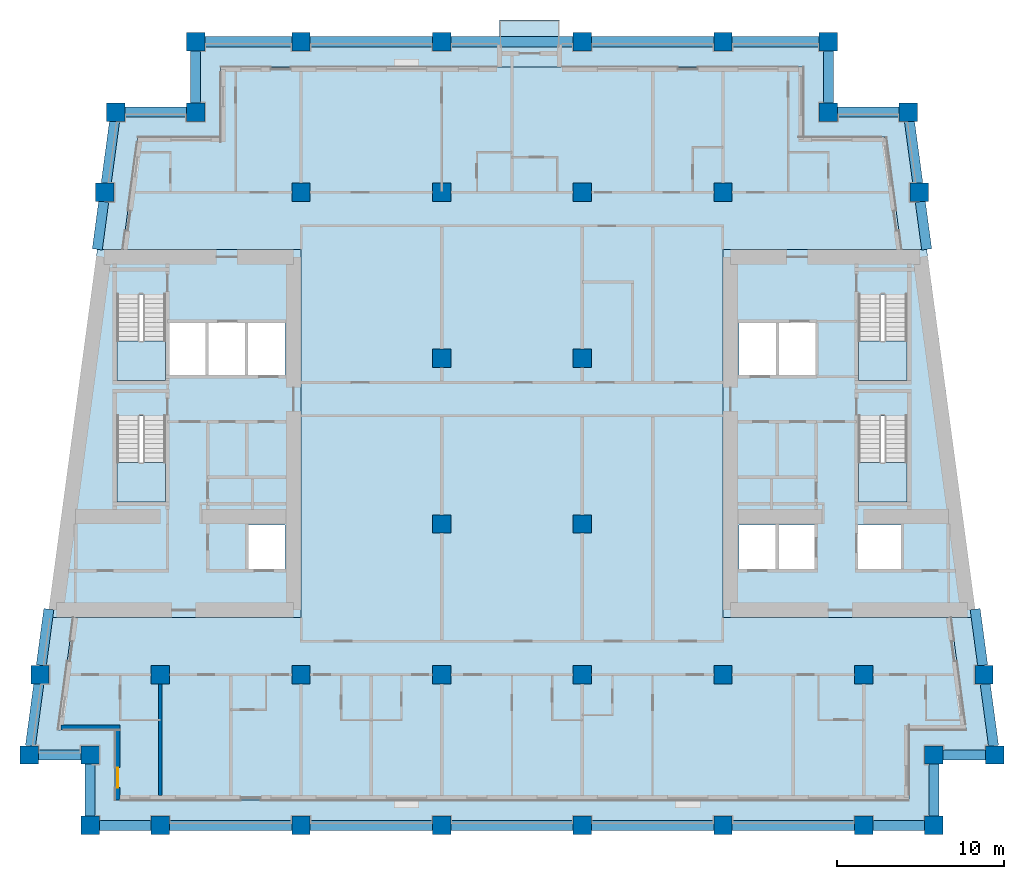
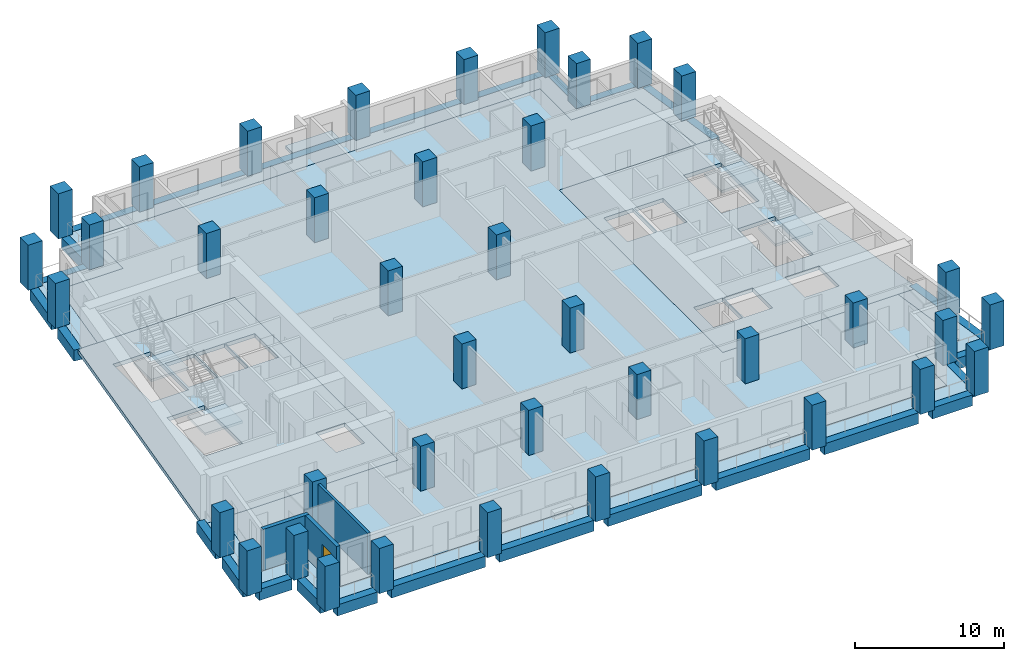
# One storey, part 1 of 13: 40 columns, 28 beams, 10 slabs, 3 walls, 1 door, 1 opening, 4 elements without a shape of their own.
"""IFC4 building model written with IfcOpenShell, lengths in metres."""

from ifc_helpers import new_model, si_unit, direction, frame, frame_2d, origin, origin_2d, place, context, subcontext, project, spatial, polyline, rectangle, outline, extrude, material, layer, layer_set, material_profile, profile_set, type_object, element, fill, aggregate, save


model = new_model("IFC4")

# Units and contexts
model_context = context("Model", 3, precision=1e-05, world=origin(), true_north=direction((0.0, 1.0)))
body_context = subcontext(model_context, "Body", "Model", "MODEL_VIEW")
ifc_project = project(units=[si_unit("LENGTHUNIT", "METRE"), si_unit("AREAUNIT", "SQUARE_METRE"), si_unit("VOLUMEUNIT", "CUBIC_METRE"), si_unit("PLANEANGLEUNIT", "RADIAN"), si_unit("MASSUNIT", "GRAM", prefix="KILO")], contexts=[model_context])

# Site, building, storey
site_placement = place(None, origin())
site = spatial("IfcSite", under=ifc_project, at=site_placement, CompositionType="ELEMENT")
building_placement = place(site_placement, origin())
building = spatial("IfcBuilding", under=site, at=building_placement, Name="Candeia Pilgrim Tower and Theatre", CompositionType="ELEMENT")
storey_placement = place(building_placement, frame((0.0, 0.0, 151.5)))
storey = spatial("IfcBuildingStorey", under=building, at=storey_placement, Name="L35", CompositionType="ELEMENT", Elevation=151.5)

# Columns
ifc_material_1 = material(Name="Concrete C60/75", Category="concrete")
ifc_material_profile_1 = material_profile(ifc_material_1, rectangle(XDim=1.10009765625, YDim=1.10009765625, at=origin_2d()))
ifc_profile_set_1 = profile_set([ifc_material_profile_1], Name="Concrete C60/75")
column_type = type_object("IfcColumnType", Name="RC 1100x1100 C60/75", PredefinedType="COLUMN", material=ifc_profile_set_1)
for number, where, z_axis, x_axis, name in (
    (1, (92.39990234375, 98.0, 0.0), (0.0, 0.0, 1.0), (1.0, 0.0, 0.0), "Column A1"),
    (2, (100.800048828125, 98.0, 0.0), (0.0, 0.0, 1.0), (1.0, 0.0, 0.0), "Column A2"),
    (3, (109.199951171875, 98.0, 0.0), (0.0, 0.0, 1.0), (1.0, 0.0, 0.0), "Column A3"),
    (4, (117.60009765625, 98.0, 0.0), (0.0, 0.0, 1.0), (1.0, 0.0, 0.0), "Column A4"),
    (5, (126.0, 98.0, 0.0), (0.0, 0.0, 1.0), (1.0, 0.0, 0.0), "Column A5"),
    (6, (134.39990234375, 98.0, 0.0), (0.0, 0.0, 1.0), (1.0, 0.0, 0.0), "Column A6"),
    (7, (88.199951171875, 98.0, 0.0), (0.0, 0.0, 1.0), (1.0, 0.0, 0.0), "Column AW"),
    (8, (138.60009765625, 98.0, 0.0), (0.0, 0.0, 1.0), (1.0, 0.0, 0.0), "Column AE"),
    (9, (88.199951171875, 102.199951171875, 0.0), (0.0, 0.0, 1.0), (1.0, 0.0, 0.0), "Column NSW"),
    (10, (138.60009765625, 102.199951171875, 0.0), (0.0, 0.0, 1.0), (1.0, 0.0, 0.0), "Column NSE"),
    (11, (94.5, 140.60009765625, 0.0), (0.0, 0.0, 1.0), (1.0, 0.0, 0.0), "Column NNW"),
    (12, (132.300048828125, 140.60009765625, 0.0), (0.0, 0.0, 1.0), (1.0, 0.0, 0.0), "Column NNE"),
    (13, (84.5654296875, 102.199951171875, 0.0), (0.0, 0.0, 1.0), (1.0, 0.0, 0.0), "Column LSW"),
    (14, (142.234619140625, 102.199951171875, 0.0), (0.0, 0.0, 1.0), (1.0, 0.0, 0.0), "Column LSE"),
    (15, (89.734619140625, 140.60009765625, 0.0), (0.0, 0.0, 1.0), (1.0, 0.0, 0.0), "Column LNW"),
    (16, (137.0654296875, 140.60009765625, 0.0), (0.0, 0.0, 1.0), (1.0, 0.0, 0.0), "Column LNE"),
    (17, (92.39990234375, 107.0, 0.0), (0.0, 0.0, 1.0), (1.0, 0.0, 0.0), "Column B1"),
    (18, (100.800048828125, 107.0, 0.0), (0.0, 0.0, 1.0), (1.0, 0.0, 0.0), "Column B2"),
    (19, (109.199951171875, 107.0, 0.0), (0.0, 0.0, 1.0), (1.0, 0.0, 0.0), "Column B3"),
    (20, (117.60009765625, 107.0, 0.0), (0.0, 0.0, 1.0), (1.0, 0.0, 0.0), "Column B4"),
    (21, (126.0, 107.0, 0.0), (0.0, 0.0, 1.0), (1.0, 0.0, 0.0), "Column B5"),
    (22, (134.39990234375, 107.0, 0.0), (0.0, 0.0, 1.0), (1.0, 0.0, 0.0), "Column B6"),
    (23, (85.21142578125, 107.0, 0.0), (0.0, 0.0, 1.0), (1.0, 0.0, 0.0), "Column BW"),
    (24, (141.58837890625, 107.0, 0.0), (0.0, 0.0, 1.0), (1.0, 0.0, 0.0), "Column BE"),
    (25, (109.199951171875, 116.0, 0.0), (0.0, 0.0, 1.0), (1.0, 0.0, 0.0), "Column C3"),
    (26, (117.60009765625, 116.0, 0.0), (0.0, 0.0, 1.0), (1.0, 0.0, 0.0), "Column C4"),
    (27, (109.199951171875, 125.89990234375, 0.0), (0.0, 0.0, 1.0), (1.0, 0.0, 0.0), "Column D3"),
    (28, (117.60009765625, 125.89990234375, 0.0), (0.0, 0.0, 1.0), (1.0, 0.0, 0.0), "Column D4"),
    (29, (100.800048828125, 135.800048828125, 0.0), (0.0, 0.0, 1.0), (1.0, 0.0, 0.0), "Column E2"),
    (30, (109.199951171875, 135.800048828125, 0.0), (0.0, 0.0, 1.0), (1.0, 0.0, 0.0), "Column E3"),
    (31, (117.60009765625, 135.800048828125, 0.0), (0.0, 0.0, 1.0), (1.0, 0.0, 0.0), "Column E4"),
    (32, (126.0, 135.800048828125, 0.0), (0.0, 0.0, 1.0), (1.0, 0.0, 0.0), "Column E5"),
    (33, (89.08837890625, 135.800048828125, 0.0), (0.0, 0.0, 1.0), (1.0, 0.0, 0.0), "Column EW"),
    (34, (137.71142578125, 135.800048828125, 0.0), (0.0, 0.0, 1.0), (1.0, 0.0, 0.0), "Column EE"),
    (35, (100.800048828125, 144.800048828125, 0.0), (0.0, 0.0, 1.0), (1.0, 0.0, 0.0), "Column F2"),
    (36, (109.199951171875, 144.800048828125, 0.0), (0.0, 0.0, 1.0), (1.0, 0.0, 0.0), "Column F3"),
    (37, (117.60009765625, 144.800048828125, 0.0), (0.0, 0.0, 1.0), (1.0, 0.0, 0.0), "Column F4"),
    (38, (126.0, 144.800048828125, 0.0), (0.0, 0.0, 1.0), (1.0, 0.0, 0.0), "Column F5"),
    (39, (94.5, 144.800048828125, 0.0), (0.0, 0.0, 1.0), (1.0, 0.0, 0.0), "Column FW"),
    (40, (132.300048828125, 144.800048828125, 0.0), (0.0, 0.0, 1.0), (1.0, 0.0, 0.0), "Column FE"),
):
    element("IfcColumn", number, at=place(storey_placement, frame(where, z_axis=z_axis, x_axis=x_axis)), inside=storey, type_object=column_type, Name=name, PredefinedType="COLUMN", context=body_context, shape_type="SweptSolid", body=[
        extrude(rectangle(XDim=1.10009765625, YDim=1.10009765625, at=origin_2d()), origin(), (0.0, 0.0, 1.0), 3.699951171875),
    ])

# Beams
ifc_material_profile_2 = material_profile(ifc_material_1, rectangle(XDim=0.60009765625, YDim=0.89990234375, at=origin_2d()))
ifc_profile_set_2 = profile_set([ifc_material_profile_2], Name="Concrete C60/75")
beam_type = type_object("IfcBeamType", Name="RC 600x900 C60/75", PredefinedType="BEAM", material=ifc_profile_set_2)
beam_1_placement = place(storey_placement, frame((88.75, 98.0, -0.449951171875), z_axis=(1.0, 0.0, 0.0), x_axis=(0.0, 1.0, 0.0)))
element("IfcBeam", 41, at=beam_1_placement, inside=storey, type_object=beam_type, Name="Spandrel beam L35-01", PredefinedType="BEAM", context=body_context, shape_type="SweptSolid", body=[
    extrude(rectangle(XDim=0.60009765625, YDim=0.89990234375, at=origin_2d()), origin(), (0.0, 0.0, 1.0), 3.10009765625),
])
beam_2_placement = place(storey_placement, frame((92.949951171875, 98.0, -0.449951171875), z_axis=(1.0, 0.0, 0.0), x_axis=(0.0, 1.0, 0.0)))
element("IfcBeam", 42, at=beam_2_placement, inside=storey, type_object=beam_type, Name="Spandrel beam L35-02", PredefinedType="BEAM", context=body_context, shape_type="SweptSolid", body=[
    extrude(rectangle(XDim=0.60009765625, YDim=0.89990234375, at=origin_2d()), origin(), (0.0, 0.0, 1.0), 7.300048828125),
])
beam_3_placement = place(storey_placement, frame((101.35009765625, 98.0, -0.449951171875), z_axis=(1.0, 0.0, 0.0), x_axis=(0.0, 1.0, 0.0)))
element("IfcBeam", 43, at=beam_3_placement, inside=storey, type_object=beam_type, Name="Spandrel beam L35-03", PredefinedType="BEAM", context=body_context, shape_type="SweptSolid", body=[
    extrude(rectangle(XDim=0.60009765625, YDim=0.89990234375, at=origin_2d()), origin(), (0.0, 0.0, 1.0), 7.2998046875),
])
for number, where, z_axis, x_axis, name in (
    (44, (109.75, 98.0, -0.449951171875), (1.0, 0.0, 0.0), (0.0, 1.0, 0.0), "Spandrel beam L35-04"),
    (45, (118.14990234375, 98.0, -0.449951171875), (1.0, 0.0, 0.0), (0.0, 1.0, 0.0), "Spandrel beam L35-05"),
    (46, (126.550048828125, 98.0, -0.449951171875), (1.0, 0.0, 0.0), (0.0, 1.0, 0.0), "Spandrel beam L35-06"),
):
    element("IfcBeam", number, at=place(storey_placement, frame(where, z_axis=z_axis, x_axis=x_axis)), inside=storey, type_object=beam_type, Name=name, PredefinedType="BEAM", context=body_context, shape_type="SweptSolid", body=[
        extrude(rectangle(XDim=0.60009765625, YDim=0.89990234375, at=origin_2d()), origin(), (0.0, 0.0, 1.0), 7.300048828125),
    ])
beam_4_placement = place(storey_placement, frame((134.949951171875, 98.0, -0.449951171875), z_axis=(1.0, 0.0, 0.0), x_axis=(0.0, 1.0, 0.0)))
element("IfcBeam", 47, at=beam_4_placement, inside=storey, type_object=beam_type, Name="Spandrel beam L35-07", PredefinedType="BEAM", context=body_context, shape_type="SweptSolid", body=[
    extrude(rectangle(XDim=0.60009765625, YDim=0.89990234375, at=origin_2d()), origin(), (0.0, 0.0, 1.0), 3.10009765625),
])
beam_5_placement = place(storey_placement, frame((138.60009765625, 98.550048828125, -0.449951171875), z_axis=(0.0, 1.0, 0.0), x_axis=(-1.0, 0.0, 0.0)))
element("IfcBeam", 48, at=beam_5_placement, inside=storey, type_object=beam_type, Name="Spandrel beam L35-08", PredefinedType="BEAM", context=body_context, shape_type="SweptSolid", body=[
    extrude(rectangle(XDim=0.60009765625, YDim=0.89990234375, at=origin_2d()), origin(), (0.0, 0.0, 1.0), 3.099853515625),
])
beam_6_placement = place(storey_placement, frame((139.14990234375, 102.199951171875, -0.449951171875), z_axis=(1.0, 0.0, 0.0), x_axis=(0.0, 1.0, 0.0)))
element("IfcBeam", 49, at=beam_6_placement, inside=storey, type_object=beam_type, Name="Spandrel beam L35-09", PredefinedType="BEAM", context=body_context, shape_type="SweptSolid", body=[
    extrude(rectangle(XDim=0.60009765625, YDim=0.89990234375, at=origin_2d()), origin(), (0.0, 0.0, 1.0), 2.53466796875),
])
beam_7_placement = place(storey_placement, frame((142.16064453125, 102.75, -0.449951171875), z_axis=(-0.133405836075, 0.991061492997, 0.0), x_axis=(-0.991061492997, -0.133405836075, 0.0)))
element("IfcBeam", 50, at=beam_7_placement, inside=storey, type_object=beam_type, Name="Spandrel beam L35-10", PredefinedType="BEAM", context=body_context, shape_type="SweptSolid", body=[
    extrude(rectangle(XDim=0.60009765625, YDim=0.89990234375, at=origin_2d()), origin(), (0.0, 0.0, 1.0), 3.7333984375),
])
beam_8_placement = place(storey_placement, frame((141.514404296875, 107.550048828125, -0.449951171875), z_axis=(-0.133432414187, 0.99105791498, 0.0), x_axis=(-0.99105791498, -0.133432414187, 0.0)))
element("IfcBeam", 51, at=beam_8_placement, inside=storey, type_object=beam_type, Name="Spandrel beam L35-11", PredefinedType="BEAM", context=body_context, shape_type="SweptSolid", body=[
    extrude(rectangle(XDim=0.60009765625, YDim=0.89990234375, at=origin_2d()), origin(), (0.0, 0.0, 1.0), 3.390380859375),
])
beam_9_placement = place(storey_placement, frame((138.169189453125, 132.39990234375, -0.449951171875), z_axis=(-0.133370319951, 0.99106627314, 0.0), x_axis=(-0.99106627314, -0.133370319951, 0.0)))
element("IfcBeam", 52, at=beam_9_placement, inside=storey, type_object=beam_type, Name="Spandrel beam L35-12", PredefinedType="BEAM", context=body_context, shape_type="SweptSolid", body=[
    extrude(rectangle(XDim=0.60009765625, YDim=0.89990234375, at=origin_2d()), origin(), (0.0, 0.0, 1.0), 2.875732421875),
])
beam_10_placement = place(storey_placement, frame((137.637451171875, 136.35009765625, -0.449951171875), z_axis=(-0.133405836075, 0.991061492997, 0.0), x_axis=(-0.991061492997, -0.133405836075, 0.0)))
element("IfcBeam", 53, at=beam_10_placement, inside=storey, type_object=beam_type, Name="Spandrel beam L35-13", PredefinedType="BEAM", context=body_context, shape_type="SweptSolid", body=[
    extrude(rectangle(XDim=0.60009765625, YDim=0.89990234375, at=origin_2d()), origin(), (0.0, 0.0, 1.0), 3.7333984375),
])
beam_11_placement = place(storey_placement, frame((136.515380859375, 140.60009765625, -0.449951171875), z_axis=(-1.0, 0.0, 0.0), x_axis=(0.0, -1.0, 0.0)))
element("IfcBeam", 54, at=beam_11_placement, inside=storey, type_object=beam_type, Name="Spandrel beam L35-14", PredefinedType="BEAM", context=body_context, shape_type="SweptSolid", body=[
    extrude(rectangle(XDim=0.60009765625, YDim=0.89990234375, at=origin_2d()), origin(), (0.0, 0.0, 1.0), 3.665283203125),
])
beam_12_placement = place(storey_placement, frame((132.300048828125, 141.14990234375, -0.449951171875), z_axis=(0.0, 1.0, 0.0), x_axis=(-1.0, 0.0, 0.0)))
element("IfcBeam", 55, at=beam_12_placement, inside=storey, type_object=beam_type, Name="Spandrel beam L35-15", PredefinedType="BEAM", context=body_context, shape_type="SweptSolid", body=[
    extrude(rectangle(XDim=0.60009765625, YDim=0.89990234375, at=origin_2d()), origin(), (0.0, 0.0, 1.0), 3.10009765625),
])
beam_13_placement = place(storey_placement, frame((131.75, 144.800048828125, -0.449951171875), z_axis=(-1.0, 0.0, 0.0), x_axis=(0.0, -1.0, 0.0)))
element("IfcBeam", 56, at=beam_13_placement, inside=storey, type_object=beam_type, Name="Spandrel beam L35-16", PredefinedType="BEAM", context=body_context, shape_type="SweptSolid", body=[
    extrude(rectangle(XDim=0.60009765625, YDim=0.89990234375, at=origin_2d()), origin(), (0.0, 0.0, 1.0), 5.199951171875),
])
for number, where, z_axis, x_axis, name in (
    (57, (125.449951171875, 144.800048828125, -0.449951171875), (-1.0, 0.0, 0.0), (0.0, -1.0, 0.0), "Spandrel beam L35-17"),
    (58, (117.050048828125, 144.800048828125, -0.449951171875), (-1.0, 0.0, 0.0), (0.0, -1.0, 0.0), "Spandrel beam L35-18"),
):
    element("IfcBeam", number, at=place(storey_placement, frame(where, z_axis=z_axis, x_axis=x_axis)), inside=storey, type_object=beam_type, Name=name, PredefinedType="BEAM", context=body_context, shape_type="SweptSolid", body=[
        extrude(rectangle(XDim=0.60009765625, YDim=0.89990234375, at=origin_2d()), origin(), (0.0, 0.0, 1.0), 7.300048828125),
    ])
beam_14_placement = place(storey_placement, frame((108.64990234375, 144.800048828125, -0.449951171875), z_axis=(-1.0, 0.0, 0.0), x_axis=(0.0, -1.0, 0.0)))
element("IfcBeam", 59, at=beam_14_placement, inside=storey, type_object=beam_type, Name="Spandrel beam L35-19", PredefinedType="BEAM", context=body_context, shape_type="SweptSolid", body=[
    extrude(rectangle(XDim=0.60009765625, YDim=0.89990234375, at=origin_2d()), origin(), (0.0, 0.0, 1.0), 7.2998046875),
])
beam_15_placement = place(storey_placement, frame((100.25, 144.800048828125, -0.449951171875), z_axis=(-1.0, 0.0, 0.0), x_axis=(0.0, -1.0, 0.0)))
element("IfcBeam", 60, at=beam_15_placement, inside=storey, type_object=beam_type, Name="Spandrel beam L35-20", PredefinedType="BEAM", context=body_context, shape_type="SweptSolid", body=[
    extrude(rectangle(XDim=0.60009765625, YDim=0.89990234375, at=origin_2d()), origin(), (0.0, 0.0, 1.0), 5.199951171875),
])
beam_16_placement = place(storey_placement, frame((94.5, 144.25, -0.449951171875), z_axis=(0.0, -1.0, 0.0), x_axis=(1.0, 0.0, 0.0)))
element("IfcBeam", 61, at=beam_16_placement, inside=storey, type_object=beam_type, Name="Spandrel beam L35-21", PredefinedType="BEAM", context=body_context, shape_type="SweptSolid", body=[
    extrude(rectangle(XDim=0.60009765625, YDim=0.89990234375, at=origin_2d()), origin(), (0.0, 0.0, 1.0), 3.10009765625),
])
beam_17_placement = place(storey_placement, frame((93.949951171875, 140.60009765625, -0.449951171875), z_axis=(-1.0, 0.0, 0.0), x_axis=(0.0, -1.0, 0.0)))
element("IfcBeam", 62, at=beam_17_placement, inside=storey, type_object=beam_type, Name="Spandrel beam L35-22", PredefinedType="BEAM", context=body_context, shape_type="SweptSolid", body=[
    extrude(rectangle(XDim=0.60009765625, YDim=0.89990234375, at=origin_2d()), origin(), (0.0, 0.0, 1.0), 3.665283203125),
])
beam_18_placement = place(storey_placement, frame((89.66064453125, 140.050048828125, -0.449951171875), z_axis=(-0.133405836075, -0.991061492997, 0.0), x_axis=(0.991061492997, -0.133405836075, 0.0)))
element("IfcBeam", 63, at=beam_18_placement, inside=storey, type_object=beam_type, Name="Spandrel beam L35-23", PredefinedType="BEAM", context=body_context, shape_type="SweptSolid", body=[
    extrude(rectangle(XDim=0.60009765625, YDim=0.89990234375, at=origin_2d()), origin(), (0.0, 0.0, 1.0), 3.7333984375),
])
beam_19_placement = place(storey_placement, frame((89.014404296875, 135.25, -0.449951171875), z_axis=(-0.133370319951, -0.99106627314, 0.0), x_axis=(0.99106627314, -0.133370319951, 0.0)))
element("IfcBeam", 64, at=beam_19_placement, inside=storey, type_object=beam_type, Name="Spandrel beam L35-24", PredefinedType="BEAM", context=body_context, shape_type="SweptSolid", body=[
    extrude(rectangle(XDim=0.60009765625, YDim=0.89990234375, at=origin_2d()), origin(), (0.0, 0.0, 1.0), 2.875732421875),
])
beam_20_placement = place(storey_placement, frame((85.73779296875, 110.91015625, -0.449951171875), z_axis=(-0.133361686371, -0.991067434945, 0.0), x_axis=(0.991067434945, -0.133361686371, 0.0)))
element("IfcBeam", 65, at=beam_20_placement, inside=storey, type_object=beam_type, Name="Spandrel beam L35-25", PredefinedType="BEAM", context=body_context, shape_type="SweptSolid", body=[
    extrude(rectangle(XDim=0.60009765625, YDim=0.89990234375, at=origin_2d()), origin(), (0.0, 0.0, 1.0), 3.390380859375),
])
beam_21_placement = place(storey_placement, frame((85.137451171875, 106.449951171875, -0.449951171875), z_axis=(-0.133405836075, -0.991061492997, 0.0), x_axis=(0.991061492997, -0.133405836075, 0.0)))
element("IfcBeam", 66, at=beam_21_placement, inside=storey, type_object=beam_type, Name="Spandrel beam L35-26", PredefinedType="BEAM", context=body_context, shape_type="SweptSolid", body=[
    extrude(rectangle(XDim=0.60009765625, YDim=0.89990234375, at=origin_2d()), origin(), (0.0, 0.0, 1.0), 3.7333984375),
])
beam_22_placement = place(storey_placement, frame((85.115478515625, 102.199951171875, -0.449951171875), z_axis=(1.0, 0.0, 0.0), x_axis=(0.0, 1.0, 0.0)))
element("IfcBeam", 67, at=beam_22_placement, inside=storey, type_object=beam_type, Name="Spandrel beam L35-27", PredefinedType="BEAM", context=body_context, shape_type="SweptSolid", body=[
    extrude(rectangle(XDim=0.60009765625, YDim=0.89990234375, at=origin_2d()), origin(), (0.0, 0.0, 1.0), 2.534423828125),
])
beam_23_placement = place(storey_placement, frame((88.199951171875, 101.64990234375, -0.449951171875), z_axis=(0.0, -1.0, 0.0), x_axis=(1.0, 0.0, 0.0)))
element("IfcBeam", 68, at=beam_23_placement, inside=storey, type_object=beam_type, Name="Spandrel beam L35-28", PredefinedType="BEAM", context=body_context, shape_type="SweptSolid", body=[
    extrude(rectangle(XDim=0.60009765625, YDim=0.89990234375, at=origin_2d()), origin(), (0.0, 0.0, 1.0), 3.099853515625),
])

# Slabs
ifc_material_2 = material(Name="Concrete C40/50", Category="concrete")
ifc_layer_1 = layer(ifc_material_2, 0.25)
ifc_layer_set_1 = layer_set([ifc_layer_1], Name="BK1 balcony slab 250")
slab_type_1 = type_object("IfcSlabType", Name="BK1 balcony slab 250", PredefinedType="USERDEFINED", material=ifc_layer_set_1)
slab_1_placement = place(storey_placement, frame((0.0, 0.0, -0.25)))
element("IfcSlab", 69, at=slab_1_placement, inside=storey, type_object=slab_type_1, Name="Balcony L35", ObjectType="BALCONY", PredefinedType="USERDEFINED", context=body_context, shape_type="SweptSolid", body=[
    extrude(outline(polyline([(112.64990234375, 144.5), (116.25, 144.5), (116.25, 146.10009765625), (112.64990234375, 146.10009765625), (112.64990234375, 144.5)])), origin(), (0.0, 0.0, 1.0), 0.25),
])
ifc_layer_2 = layer(ifc_material_1, 0.320068359375)
ifc_layer_set_2 = layer_set([ifc_layer_2], Name="FS-CORE 320 core floor")
slab_type_2 = type_object("IfcSlabType", Name="FS-CORE 320 core floor", PredefinedType="FLOOR", material=ifc_layer_set_2)
slab_2_placement = place(storey_placement, frame((0.0, 0.0, -0.320068359375)))
element("IfcSlab", 70, at=slab_2_placement, inside=storey, type_object=slab_type_2, Name="Core floor W L35", PredefinedType="FLOOR", context=body_context, shape_type="SweptSolid", body=[
    extrude(outline(polyline([(100.800048828125, 132.39990234375), (100.800048828125, 110.39990234375), (85.669189453125, 110.39990234375), (88.630859375, 132.39990234375), (100.800048828125, 132.39990234375)]), holes=[polyline([(97.59228515625, 128.050048828125), (97.59228515625, 124.85009765625), (99.85009765625, 124.85009765625), (99.85009765625, 128.050048828125), (97.59228515625, 128.050048828125)]), polyline([(97.613525390625, 113.25), (99.85009765625, 113.25), (99.85009765625, 115.949951171875), (97.613525390625, 115.949951171875), (97.613525390625, 113.25)]), polyline([(95.234619140625, 124.85009765625), (97.4921875, 124.85009765625), (97.4921875, 128.050048828125), (95.234619140625, 128.050048828125), (95.234619140625, 124.85009765625)]), polyline([(92.876953125, 128.050048828125), (92.876953125, 124.85009765625), (95.134765625, 124.85009765625), (95.134765625, 128.050048828125), (92.876953125, 128.050048828125)]), polyline([(89.802001953125, 122.455078125), (89.802001953125, 117.324951171875), (92.701904296875, 117.324951171875), (92.701904296875, 122.455078125), (89.802001953125, 122.455078125)]), polyline([(89.802001953125, 129.705078125), (89.802001953125, 124.574951171875), (92.701904296875, 124.574951171875), (92.701904296875, 129.705078125), (89.802001953125, 129.705078125)])]), origin(), (0.0, 0.0, 1.0), 0.320068359375),
])
slab_3_placement = place(storey_placement, frame((0.0, 0.0, -0.320068359375)))
element("IfcSlab", 71, at=slab_3_placement, inside=storey, type_object=slab_type_2, Name="Core floor E L35", PredefinedType="FLOOR", context=body_context, shape_type="SweptSolid", body=[
    extrude(outline(polyline([(138.169189453125, 132.39990234375), (141.130859375, 110.39990234375), (126.0, 110.39990234375), (126.0, 132.39990234375), (138.169189453125, 132.39990234375)]), holes=[polyline([(134.097900390625, 122.455078125), (134.097900390625, 117.324951171875), (136.998046875, 117.324951171875), (136.998046875, 122.455078125), (134.097900390625, 122.455078125)]), polyline([(134.097900390625, 129.705078125), (134.097900390625, 124.574951171875), (136.998046875, 124.574951171875), (136.998046875, 129.705078125), (134.097900390625, 129.705078125)]), polyline([(136.672607421875, 115.949951171875), (134.02294921875, 115.949951171875), (134.02294921875, 113.25), (136.672607421875, 113.25), (136.672607421875, 115.949951171875)]), polyline([(131.565185546875, 128.050048828125), (129.3076171875, 128.050048828125), (129.3076171875, 124.85009765625), (131.565185546875, 124.85009765625), (131.565185546875, 128.050048828125)]), polyline([(131.52294921875, 115.949951171875), (129.28662109375, 115.949951171875), (129.28662109375, 113.25), (131.52294921875, 113.25), (131.52294921875, 115.949951171875)]), polyline([(129.207763671875, 128.050048828125), (126.949951171875, 128.050048828125), (126.949951171875, 124.85009765625), (129.207763671875, 124.85009765625), (129.207763671875, 128.050048828125)]), polyline([(126.949951171875, 115.949951171875), (126.949951171875, 113.25), (129.1865234375, 113.25), (129.1865234375, 115.949951171875), (126.949951171875, 115.949951171875)])]), origin(), (0.0, 0.0, 1.0), 0.320068359375),
])
ifc_material_3 = material(Name="Concrete C50/60", Category="concrete")
ifc_layer_3 = layer(ifc_material_3, 0.320068359375)
ifc_layer_set_3 = layer_set([ifc_layer_3], Name="Floor slab 320 C50/60")
slab_type_3 = type_object("IfcSlabType", Name="Floor slab 320 C50/60", PredefinedType="FLOOR", material=ifc_layer_set_3)
slab_4_placement = place(storey_placement, frame((0.0, 0.0, -0.320068359375)))
element("IfcSlab", 72, at=slab_4_placement, inside=storey, type_object=slab_type_3, Name="Floor slab L35", PredefinedType="FLOOR", context=body_context, shape_type="SweptSolid", body=[
    extrude(outline(polyline([(96.0, 139.10009765625), (96.0, 143.300048828125), (130.800048828125, 143.300048828125), (130.800048828125, 139.10009765625), (135.753662109375, 139.10009765625), (136.65576171875, 132.39990234375), (126.0, 132.39990234375), (126.0, 110.39990234375), (139.6171875, 110.39990234375), (140.51904296875, 103.699951171875), (137.10009765625, 103.699951171875), (137.10009765625, 99.5), (89.699951171875, 99.5), (89.699951171875, 103.699951171875), (86.28076171875, 103.699951171875), (87.182861328125, 110.39990234375), (100.800048828125, 110.39990234375), (100.800048828125, 132.39990234375), (90.144287109375, 132.39990234375), (91.046142578125, 139.10009765625), (96.0, 139.10009765625)])), origin(), (0.0, 0.0, 1.0), 0.320068359375),
])
ifc_layer_4 = layer(ifc_material_2, 0.25)
ifc_layer_set_4 = layer_set([ifc_layer_4], Name="Loggia slab 250 C40/50")
slab_type_4 = type_object("IfcSlabType", Name="Loggia slab 250 C40/50", PredefinedType="FLOOR", material=ifc_layer_set_4)
slab_5_placement = place(storey_placement, frame((0.0, 0.0, -0.25)))
element("IfcSlab", 73, at=slab_5_placement, inside=storey, type_object=slab_type_4, Name="Loggia slab L35 1", PredefinedType="FLOOR", context=body_context, shape_type="SweptSolid", body=[
    extrude(outline(polyline([(87.182861328125, 110.39990234375), (86.28076171875, 103.699951171875), (89.699951171875, 103.699951171875), (89.699951171875, 99.5), (137.10009765625, 99.5), (137.10009765625, 103.699951171875), (140.51904296875, 103.699951171875), (139.6171875, 110.39990234375), (140.828125, 110.39990234375), (141.8916015625, 102.5), (138.300048828125, 102.5), (138.300048828125, 98.300048828125), (88.5, 98.300048828125), (88.5, 102.5), (84.908447265625, 102.5), (85.971923828125, 110.39990234375), (87.182861328125, 110.39990234375)])), origin(), (0.0, 0.0, 1.0), 0.25),
])
slab_6_placement = place(storey_placement, frame((0.0, 0.0, -0.25)))
element("IfcSlab", 74, at=slab_6_placement, inside=storey, type_object=slab_type_4, Name="Loggia slab L35 2", PredefinedType="FLOOR", context=body_context, shape_type="SweptSolid", body=[
    extrude(outline(polyline([(136.65576171875, 132.39990234375), (135.753662109375, 139.10009765625), (130.800048828125, 139.10009765625), (130.800048828125, 143.300048828125), (96.0, 143.300048828125), (96.0, 139.10009765625), (91.046142578125, 139.10009765625), (90.144287109375, 132.39990234375), (88.93359375, 132.39990234375), (89.996826171875, 140.300048828125), (94.800048828125, 140.300048828125), (94.800048828125, 144.5), (132.0, 144.5), (132.0, 140.300048828125), (136.802978515625, 140.300048828125), (137.866455078125, 132.39990234375), (136.65576171875, 132.39990234375)])), origin(), (0.0, 0.0, 1.0), 0.25),
])

# Stair, slab
stair_type = type_object("IfcStairType", Name="ST-TWR dog-leg escape stair", PredefinedType="HALF_TURN_STAIR", material=ifc_material_2)
stair_1_placement = place(storey_placement, origin())
stair_1 = element("IfcStair", 75, at=stair_1_placement, inside=storey, type_object=stair_type, Name="L35 Escape stair ST1", PredefinedType="HALF_TURN_STAIR")
ifc_layer_5 = layer(ifc_material_2, 0.199951171875)
ifc_layer_set_5 = layer_set([ifc_layer_5], Name="SL-LANDING stair landing")
slab_type_5 = type_object("IfcSlabType", Name="SL-LANDING stair landing", PredefinedType="LANDING", material=ifc_layer_set_5)
slab_7_placement = place(storey_placement, frame((0.0, 0.0, 1.64990234375)))
slab_7 = element("IfcSlab", 76, at=slab_7_placement, type_object=slab_type_5, Name="ST1 landing 1", PredefinedType="LANDING", context=body_context, shape_type="SweptSolid", body=[
    extrude(outline(polyline([(89.802001953125, 119.675048828125), (89.802001953125, 117.324951171875), (92.701904296875, 117.324951171875), (92.701904296875, 119.675048828125), (89.802001953125, 119.675048828125)])), origin(), (0.0, 0.0, 1.0), 0.2001953125),
])
aggregate(stair_1, [slab_7])

stair_2_placement = place(storey_placement, origin())
stair_2 = element("IfcStair", 77, at=stair_2_placement, inside=storey, type_object=stair_type, Name="L35 Escape stair ST2", PredefinedType="HALF_TURN_STAIR")
slab_8_placement = place(storey_placement, frame((0.0, 0.0, 1.64990234375)))
slab_8 = element("IfcSlab", 78, at=slab_8_placement, type_object=slab_type_5, Name="ST2 landing 1", PredefinedType="LANDING", context=body_context, shape_type="SweptSolid", body=[
    extrude(outline(polyline([(89.802001953125, 126.925048828125), (89.802001953125, 124.574951171875), (92.701904296875, 124.574951171875), (92.701904296875, 126.925048828125), (89.802001953125, 126.925048828125)])), origin(), (0.0, 0.0, 1.0), 0.2001953125),
])
aggregate(stair_2, [slab_8])

stair_3_placement = place(storey_placement, origin())
stair_3 = element("IfcStair", 79, at=stair_3_placement, inside=storey, type_object=stair_type, Name="L35 Escape stair ST3", PredefinedType="HALF_TURN_STAIR")
slab_9_placement = place(storey_placement, frame((0.0, 0.0, 1.64990234375)))
slab_9 = element("IfcSlab", 80, at=slab_9_placement, type_object=slab_type_5, Name="ST3 landing 1", PredefinedType="LANDING", context=body_context, shape_type="SweptSolid", body=[
    extrude(outline(polyline([(134.097900390625, 119.675048828125), (134.097900390625, 117.324951171875), (136.998046875, 117.324951171875), (136.998046875, 119.675048828125), (134.097900390625, 119.675048828125)])), origin(), (0.0, 0.0, 1.0), 0.2001953125),
])
aggregate(stair_3, [slab_9])

stair_4_placement = place(storey_placement, origin())
stair_4 = element("IfcStair", 81, at=stair_4_placement, inside=storey, type_object=stair_type, Name="L35 Escape stair ST4", PredefinedType="HALF_TURN_STAIR")
slab_10_placement = place(storey_placement, frame((0.0, 0.0, 1.64990234375)))
slab_10 = element("IfcSlab", 82, at=slab_10_placement, type_object=slab_type_5, Name="ST4 landing 1", PredefinedType="LANDING", context=body_context, shape_type="SweptSolid", body=[
    extrude(outline(polyline([(134.097900390625, 126.925048828125), (134.097900390625, 124.574951171875), (136.998046875, 124.574951171875), (136.998046875, 126.925048828125), (134.097900390625, 126.925048828125)])), origin(), (0.0, 0.0, 1.0), 0.2001953125),
])
aggregate(stair_4, [slab_10])

# Wall
ifc_material_4 = material(Name="Ceramic block masonry", Category="masonry")
ifc_layer_6 = layer(ifc_material_4, 0.300048828125)
ifc_layer_set_6 = layer_set([ifc_layer_6], Name="EW1 glazing-line wall 300")
wall_type_1 = type_object("IfcWallType", Name="EW1 glazing-line wall 300", PredefinedType="SOLIDWALL", material=ifc_layer_set_6)
wall_1_placement = place(storey_placement, frame((86.452392578125, 103.85009765625, 0.0), z_axis=(0.0, 0.0, 1.0), x_axis=(1.0, 0.0, 0.0)))
element("IfcWall", 83, at=wall_1_placement, inside=storey, type_object=wall_type_1, Name="External wall L35-10.0", PredefinedType="SOLIDWALL", context=body_context, shape_type="SweptSolid", body=[
    extrude(rectangle(XDim=3.547607421875, YDim=0.300048828125, at=frame_2d((1.77392578125, 0.0))), origin(), (0.0, 0.0, 1.0), 3.3798828125),
])

# Wall, opening, door
wall_2_placement = place(storey_placement, frame((89.85009765625, 103.85009765625, 0.0), z_axis=(0.0, 0.0, 1.0), x_axis=(0.0, -1.0, 0.0)))
wall_2 = element("IfcWall", 84, at=wall_2_placement, inside=storey, type_object=wall_type_1, Name="External wall L35-11.0", PredefinedType="SOLIDWALL", context=body_context, shape_type="SweptSolid", body=[
    extrude(rectangle(XDim=4.35009765625, YDim=0.300048828125, at=frame_2d((2.175048828125, 0.0))), origin(), (0.0, 0.0, 1.0), 3.3798828125),
])
opening_placement = place(wall_2_placement, frame((2.39990234375, 0.0, 0.0)))
opening = element("IfcOpeningElement", 85, at=opening_placement, cuts=wall_2, Name="Opening L35-ED343", PredefinedType="OPENING", context=body_context, shape_type="SweptSolid", body=[
    extrude(rectangle(XDim=1.199951171875, YDim=2.39990234375, at=frame_2d((0.60009765625, 1.199951171875))), frame((0.0, 0.16015625, 0.0), z_axis=(0.0, -1.0, 0.0), x_axis=(1.0, 0.0, 0.0)), (0.0, 0.0, 1.0), 0.320068359375),
])
ifc_material_5 = material(Name="Aluminium framed glazed door", Category="aluminium")
door_type = type_object("IfcDoorType", Name="Loggia door 1200x2400", OperationType="DOUBLE_DOOR_SINGLE_SWING", PredefinedType="DOOR", material=ifc_material_5)
door_placement = place(opening_placement, origin())
door = element("IfcDoor", 86, at=door_placement, inside=storey, type_object=door_type, Name="Loggia door L35-ED343", OperationType="DOUBLE_DOOR_SINGLE_SWING", OverallHeight=2.39990234375, OverallWidth=1.199951171875, PredefinedType="DOOR", context=body_context, shape_type="SweptSolid", body=[
    extrude(rectangle(XDim=1.199951171875, YDim=2.39990234375, at=frame_2d((0.60009765625, 1.199951171875))), frame((0.0, 0.02490234375, 0.0), z_axis=(0.0, -1.0, 0.0), x_axis=(1.0, 0.0, 0.0)), (0.0, 0.0, 1.0), 0.050048828125),
])
fill(opening, door)

# Wall
ifc_material_6 = material(Name="Gypsum board partition on steel studs", Category="steel")
ifc_layer_7 = layer(ifc_material_6, 0.199951171875)
ifc_layer_set_7 = layer_set([ifc_layer_7], Name="PW-200 party wall")
wall_type_2 = type_object("IfcWallType", Name="PW-200 party wall", PredefinedType="PARTITIONING", material=ifc_layer_set_7)
wall_3_placement = place(storey_placement, frame((92.39990234375, 99.7900390625, 0.0), z_axis=(0.0, 0.0, 1.0), x_axis=(0.0, 1.0, 0.0)))
element("IfcWall", 87, at=wall_3_placement, inside=storey, type_object=wall_type_2, Name="Party wall L35-053", PredefinedType="PARTITIONING", context=body_context, shape_type="SweptSolid", body=[
    extrude(rectangle(XDim=7.135009765625, YDim=0.199951171875, at=frame_2d((3.5673828125, 0.0))), origin(), (0.0, 0.0, 1.0), 3.3798828125),
])

save(model, "model.ifc")
